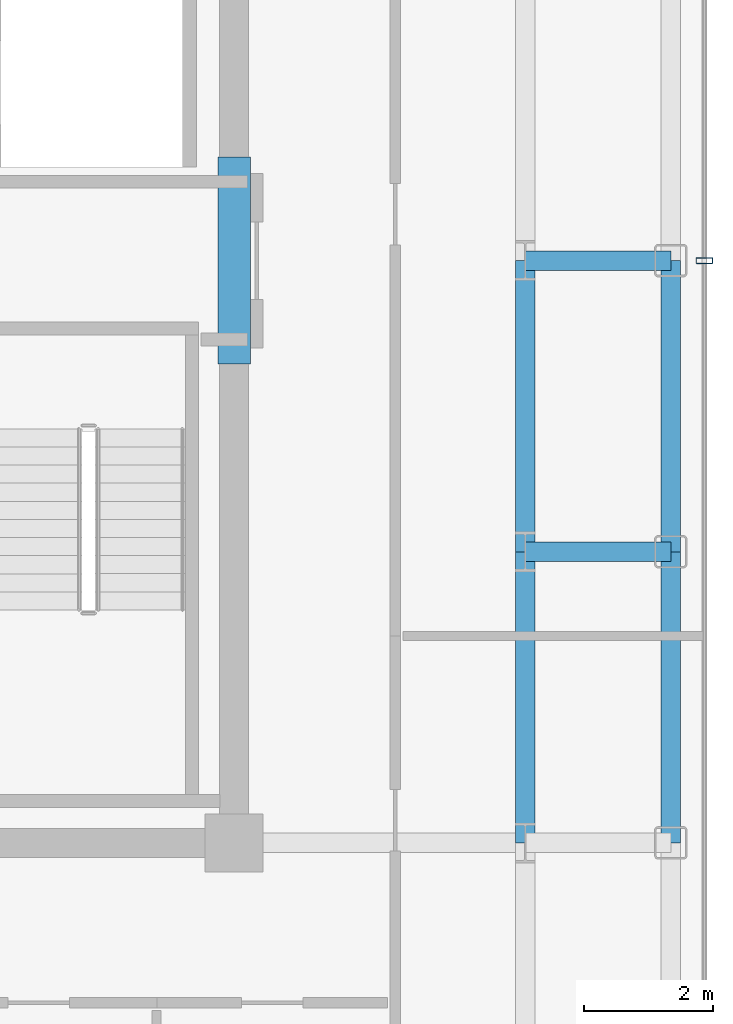
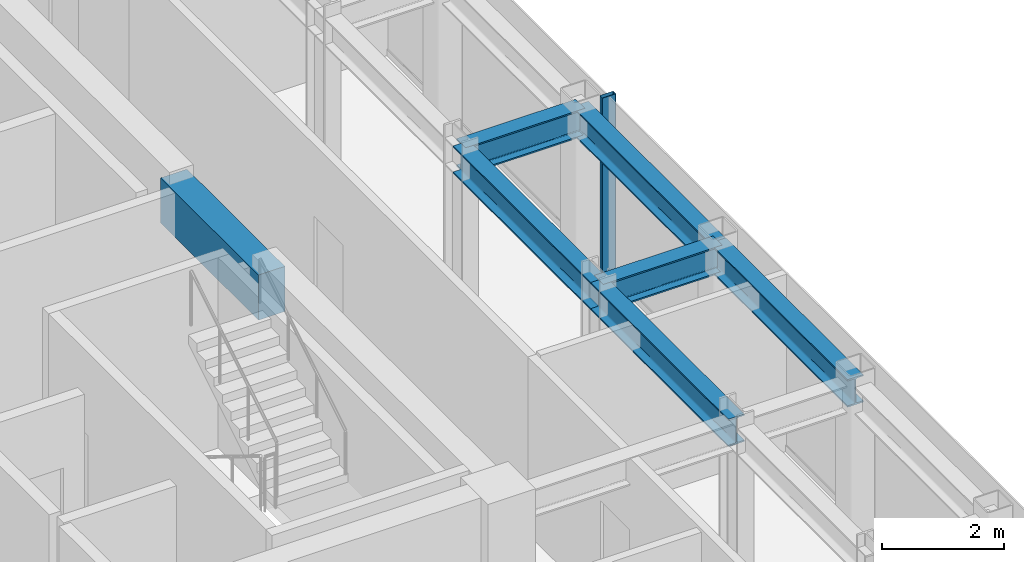
# One storey, part 7 of 18: 7 beams, 1 member, 1 element without a shape of its own.
"""IFC4 building model written with IfcOpenShell, lengths in metres."""

from ifc_helpers import new_model, si_unit, direction, frame, origin, origin_2d, place, context, subcontext, project, spatial, rectangle, hollow_rectangle, i_section, extrude, source, transform, mapped, material, layer, layer_set, material_profile, profile_set, type_object, element, aggregate, save


model = new_model("IFC4")

# Units and contexts
model_context = context("Model", 3, precision=1e-05, world=origin(), true_north=direction((0.0, 1.0)))
body_context = subcontext(model_context, "Body", "Model", "MODEL_VIEW")
ifc_project = project(units=[si_unit("LENGTHUNIT", "METRE"), si_unit("AREAUNIT", "SQUARE_METRE"), si_unit("VOLUMEUNIT", "CUBIC_METRE"), si_unit("PLANEANGLEUNIT", "RADIAN"), si_unit("MASSUNIT", "GRAM", prefix="KILO")], contexts=[model_context])

# Site, building, storey
site_placement = place(None, origin())
site = spatial("IfcSite", under=ifc_project, at=site_placement, CompositionType="ELEMENT")
building_placement = place(site_placement, origin())
building = spatial("IfcBuilding", under=site, at=building_placement, Name="Nefas-Gora Pilgrimage Tower", CompositionType="ELEMENT")
storey_placement = place(building_placement, frame((0.0, 0.0, 302.60009765625)))
storey = spatial("IfcBuildingStorey", under=building, at=storey_placement, Name="L76", CompositionType="ELEMENT", Elevation=302.60009765625)

# Beams
ifc_material_1 = material(Name="Concrete C50/60", Category="concrete")
ifc_material_profile_1 = material_profile(ifc_material_1, rectangle(XDim=0.5, YDim=0.89990234375, at=origin_2d()), Name="RC 500x900")
ifc_profile_set_1 = profile_set([ifc_material_profile_1], Name="Concrete C50/60")
beam_type_1 = type_object("IfcBeamType", Name="BM-LIN-RC900", PredefinedType="LINTEL", material=ifc_profile_set_1)
shared_shape_1 = source(origin(), body_context, "Body", "SweptSolid", [
    extrude(rectangle(XDim=0.5, YDim=0.89990234375, at=origin_2d()), origin(), (0.0, 0.0, 1.0), 3.2001953125),
])
beam_placement = place(storey_placement, frame((11.25, -1.60009765625, 3.099853515625), z_axis=(0.0, 1.0, 0.0), x_axis=(-1.0, 0.0, 0.0)))
element("IfcBeam", 1, at=beam_placement, inside=storey, type_object=beam_type_1, Name="L76 Core Coupling Lintel Beam E", PredefinedType="LINTEL", context=body_context, shape_type="MappedRepresentation", body=[
    mapped(shared_shape_1, transform((0.0, 0.0, 0.0), x_axis=(1.0, 0.0, 0.0), y_axis=(0.0, 1.0, 0.0), z_axis=(0.0, 0.0, 1.0), scale=1.0)),
])
ifc_material_2 = material(Name="Steel S355", Category="steel")
ifc_material_profile_2 = material_profile(ifc_material_2, i_section(OverallWidth=0.300048828125, OverallDepth=0.550048828125, WebThickness=0.014892578125, FlangeThickness=0.029052734375, FilletRadius=0.027099609375, at=origin_2d()), Name="HEB 550")
ifc_profile_set_2 = profile_set([ifc_material_profile_2], Name="Steel S355")
beam_type_2 = type_object("IfcBeamType", Name="BM-SPN-HEB400", PredefinedType="SPANDREL", material=ifc_profile_set_2)
shared_shape_2 = source(origin(), body_context, "Body", "SweptSolid", [
    extrude(i_section(OverallWidth=0.300048828125, OverallDepth=0.550048828125, WebThickness=0.014892578125, FlangeThickness=0.029052734375, FilletRadius=0.027099609375, at=origin_2d()), origin(), (0.0, 0.0, 1.0), 4.5),
])
for number, where, z_axis, x_axis, name in (
    (2, (18.0, -9.0, 3.27490234375), (0.0, 1.0, 0.0), (-1.0, 0.0, 0.0), "L76 SP-04 beam"),
    (3, (18.0, -4.5, 3.27490234375), (0.0, 1.0, 0.0), (-1.0, 0.0, 0.0), "L76 SP-04 beam"),
):
    element("IfcBeam", number, at=place(storey_placement, frame(where, z_axis=z_axis, x_axis=x_axis)), inside=storey, type_object=beam_type_2, Name=name, PredefinedType="SPANDREL", context=body_context, shape_type="MappedRepresentation", body=[
        mapped(shared_shape_2, transform((0.0, 0.0, 0.0), x_axis=(1.0, 0.0, 0.0), y_axis=(0.0, 1.0, 0.0), z_axis=(0.0, 0.0, 1.0), scale=1.0)),
    ])
ifc_material_profile_3 = material_profile(ifc_material_2, i_section(OverallWidth=0.300048828125, OverallDepth=0.550048828125, WebThickness=0.014892578125, FlangeThickness=0.029052734375, FilletRadius=0.027099609375, at=origin_2d()), Name="HEB 550")
ifc_profile_set_3 = profile_set([ifc_material_profile_3], Name="Steel S355")
beam_type_3 = type_object("IfcBeamType", Name="BM-GIR-HEB550", PredefinedType="BEAM", material=ifc_profile_set_3)
shared_shape_3 = source(origin(), body_context, "Body", "SweptSolid", [
    extrude(i_section(OverallWidth=0.300048828125, OverallDepth=0.550048828125, WebThickness=0.014892578125, FlangeThickness=0.029052734375, FilletRadius=0.027099609375, at=origin_2d()), origin(), (0.0, 0.0, 1.0), 4.5),
])
for number, where, z_axis, x_axis, name in (
    (4, (15.75, -9.0, 3.27490234375), (0.0, 1.0, 0.0), (-1.0, 0.0, 0.0), "L76 G-05 beam"),
    (5, (15.75, -4.5, 3.27490234375), (0.0, 1.0, 0.0), (-1.0, 0.0, 0.0), "L76 G-05 beam"),
):
    element("IfcBeam", number, at=place(storey_placement, frame(where, z_axis=z_axis, x_axis=x_axis)), inside=storey, type_object=beam_type_3, Name=name, PredefinedType="BEAM", context=body_context, shape_type="MappedRepresentation", body=[
        mapped(shared_shape_3, transform((0.0, 0.0, 0.0), x_axis=(1.0, 0.0, 0.0), y_axis=(0.0, 1.0, 0.0), z_axis=(0.0, 0.0, 1.0), scale=1.0)),
    ])
shared_shape_4 = source(origin(), body_context, "Body", "SweptSolid", [
    extrude(i_section(OverallWidth=0.300048828125, OverallDepth=0.550048828125, WebThickness=0.014892578125, FlangeThickness=0.029052734375, FilletRadius=0.027099609375, at=origin_2d()), origin(), (0.0, 0.0, 1.0), 2.25),
])
for number, where, z_axis, x_axis, name in (
    (6, (15.75, -4.5, 3.27490234375), (1.0, 0.0, 0.0), (0.0, 1.0, 0.0), "L76 G-05 beam"),
    (7, (15.75, 0.0, 3.27490234375), (1.0, 0.0, 0.0), (0.0, 1.0, 0.0), "L76 G-05 beam"),
):
    element("IfcBeam", number, at=place(storey_placement, frame(where, z_axis=z_axis, x_axis=x_axis)), inside=storey, type_object=beam_type_3, Name=name, PredefinedType="BEAM", context=body_context, shape_type="MappedRepresentation", body=[
        mapped(shared_shape_4, transform((0.0, 0.0, 0.0), x_axis=(1.0, 0.0, 0.0), y_axis=(0.0, 1.0, 0.0), z_axis=(0.0, 0.0, 1.0), scale=1.0)),
    ])

# Curtain wall, member
ifc_material_3 = material(Name="Dark ceramic-fritted solar-control aluminium-glass curtain wall", Category="aluminium")
ifc_layer = layer(ifc_material_3, 0.219970703125)
ifc_layer_set = layer_set([ifc_layer], Name="Dark ceramic-fritted solar-control aluminium-glass curtain wall")
curtain_wall_type = type_object("IfcCurtainWallType", Name="CW-SYS-4", PredefinedType="NOTDEFINED", material=ifc_layer_set)
curtain_wall_placement = place(storey_placement, origin())
curtain_wall = element("IfcCurtainWall", 8, at=curtain_wall_placement, inside=storey, type_object=curtain_wall_type, Name="L76 Unitised Curtain Wall CW4", PredefinedType="NOTDEFINED")
ifc_material_4 = material(Name="Anodised architectural aluminium", Category="aluminium")
ifc_material_profile_4 = material_profile(ifc_material_4, hollow_rectangle(XDim=0.090087890625, YDim=0.260009765625, WallThickness=0.006103515625, InnerFilletRadius=0.006103515625, OuterFilletRadius=0.011962890625, at=origin_2d()), Name="ALU MULLION 90x260")
ifc_profile_set_4 = profile_set([ifc_material_profile_4], Name="Anodised architectural aluminium")
member_type = type_object("IfcMemberType", Name="CWM-MUL-4", PredefinedType="MULLION", material=ifc_profile_set_4)
shared_shape_5 = source(origin(), body_context, "Body", "SweptSolid", [
    extrude(hollow_rectangle(XDim=0.090087890625, YDim=0.260009765625, WallThickness=0.006103515625, InnerFilletRadius=0.006103515625, OuterFilletRadius=0.011962890625, at=origin_2d()), origin(), (0.0, 0.0, 1.0), 3.5498046875),
])
member_placement = place(storey_placement, frame((18.52001953125, 0.0, 0.0), z_axis=(0.0, 0.0, 1.0), x_axis=(0.0, 1.0, 0.0)))
member = element("IfcMember", 9, at=member_placement, type_object=member_type, Name="CW4 Mullion 2", PredefinedType="MULLION", context=body_context, shape_type="MappedRepresentation", body=[
    mapped(shared_shape_5, transform((0.0, 0.0, 0.0), x_axis=(1.0, 0.0, 0.0), y_axis=(0.0, 1.0, 0.0), z_axis=(0.0, 0.0, 1.0), scale=1.0)),
])
aggregate(curtain_wall, [member])

save(model, "model.ifc")
